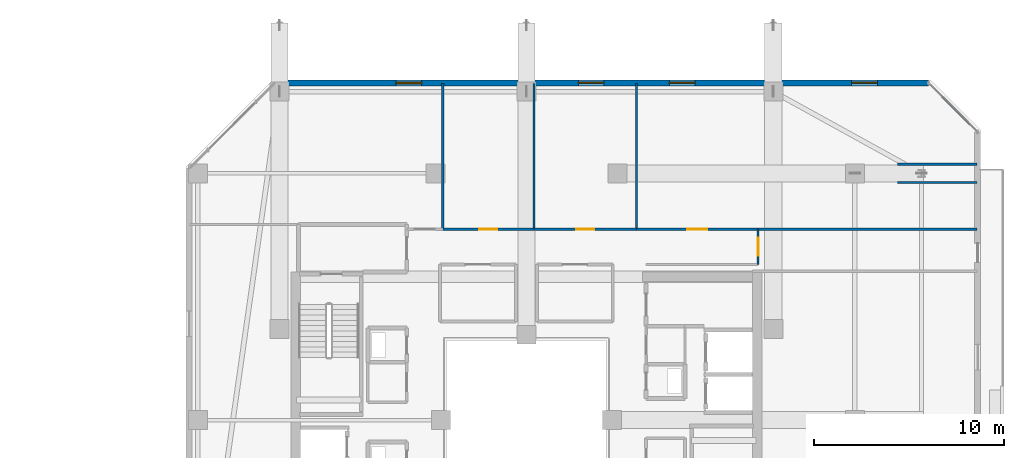
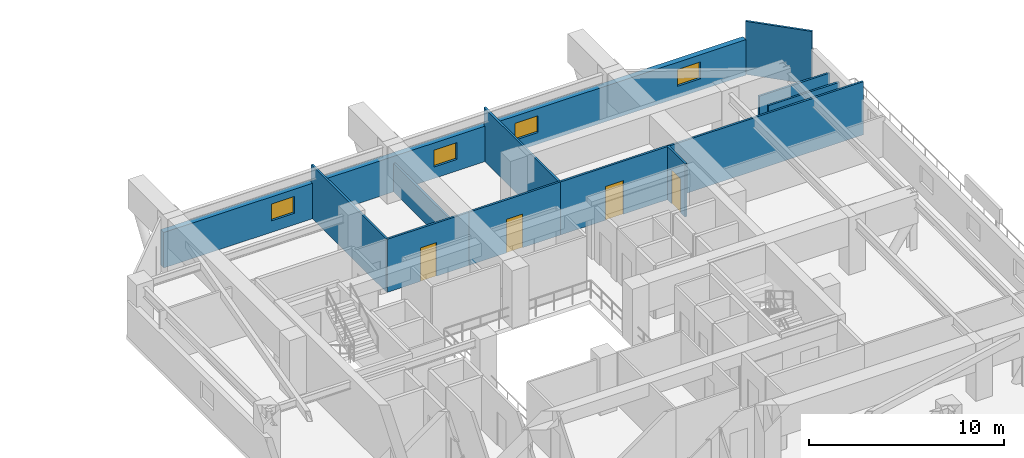
# One storey, part 27 of 34: 12 walls, 4 doors, 4 windows, 8 openings.
"""IFC4 building model written with IfcOpenShell, lengths in metres."""

from ifc_helpers import new_model, si_unit, direction, frame, frame_2d, origin, place, context, subcontext, project, spatial, rectangle, extrude, material, layer, layer_set, type_object, element, fill, save


model = new_model("IFC4")

# Units and contexts
model_context = context("Model", 3, precision=1e-05, world=origin(), true_north=direction((0.0, 1.0)))
body_context = subcontext(model_context, "Body", "Model", "MODEL_VIEW")
ifc_project = project(units=[si_unit("LENGTHUNIT", "METRE"), si_unit("AREAUNIT", "SQUARE_METRE"), si_unit("VOLUMEUNIT", "CUBIC_METRE"), si_unit("PLANEANGLEUNIT", "RADIAN"), si_unit("MASSUNIT", "GRAM", prefix="KILO")], contexts=[model_context])

# Site, building, storey
site_placement = place(None, origin())
site = spatial("IfcSite", under=ifc_project, at=site_placement, CompositionType="ELEMENT")
building_placement = place(site_placement, origin())
building = spatial("IfcBuilding", under=site, at=building_placement, Name="Thornwick Lancets Civic Towers", CompositionType="ELEMENT")
storey_placement = place(building_placement, frame((0.0, 0.0, 251.10009765625)))
storey = spatial("IfcBuildingStorey", under=building, at=storey_placement, Name="L67", CompositionType="ELEMENT", Elevation=251.10009765625)

# Wall, openings, windows
ifc_material_1 = material(Name="Insulated buff terracotta rainscreen on concrete C40/50", Category="masonry")
ifc_layer_1 = layer(ifc_material_1, 0.320068359375, Name="Insulated buff terracotta rainscreen on concrete C40/50")
ifc_layer_set_1 = layer_set([ifc_layer_1], Name="Insulated buff terracotta rainscreen on concrete C40/50")
wall_type_1 = type_object("IfcWallType", Name="WALL_EXT_TERRA_320", PredefinedType="STANDARD", material=ifc_layer_set_1)
wall_1_placement = place(storey_placement, frame((109.681396484375, 44.7646484375, 0.0), z_axis=(0.0, 0.0, 1.0), x_axis=(-0.999999983007, -0.000184351399, 0.0)))
wall_1 = element("IfcWall", 1, at=wall_1_placement, inside=storey, type_object=wall_type_1, Name="L67 Tower B Terracotta Facade Wall E4", PredefinedType="STANDARD", context=body_context, shape_type="SweptSolid", body=[
    extrude(rectangle(XDim=34.432373046875, YDim=0.320068359375, at=frame_2d((17.21630859375, 0.0))), origin(), (0.0, 0.0, 1.0), 2.219970703125),
])
opening_1_placement = place(wall_1_placement, frame((2.699951171875, 0.0, 0.719970703125)))
opening_1 = element("IfcOpeningElement", 2, at=opening_1_placement, cuts=wall_1, Name="Opening WL-03", PredefinedType="OPENING", context=body_context, shape_type="SweptSolid", body=[
    extrude(rectangle(XDim=1.35009765625, YDim=1.050048828125, at=frame_2d((0.675048828125, 0.52490234375))), frame((0.0, 0.169921875, 0.0), z_axis=(0.0, -1.0, 0.0), x_axis=(1.0, 0.0, 0.0)), (0.0, 0.0, 1.0), 0.340087890625),
])
opening_2_placement = place(wall_1_placement, frame((12.300048828125, 0.0, 0.719970703125)))
opening_2 = element("IfcOpeningElement", 3, at=opening_2_placement, cuts=wall_1, Name="Opening WL-03", PredefinedType="OPENING", context=body_context, shape_type="SweptSolid", body=[
    extrude(rectangle(XDim=1.35009765625, YDim=1.050048828125, at=frame_2d((0.675048828125, 0.52490234375))), frame((0.0, 0.169921875, 0.0), z_axis=(0.0, -1.0, 0.0), x_axis=(1.0, 0.0, 0.0)), (0.0, 0.0, 1.0), 0.340087890625),
])
opening_3_placement = place(wall_1_placement, frame((17.10009765625, 0.0, 0.719970703125)))
opening_3 = element("IfcOpeningElement", 4, at=opening_3_placement, cuts=wall_1, Name="Opening WL-03", PredefinedType="OPENING", context=body_context, shape_type="SweptSolid", body=[
    extrude(rectangle(XDim=1.35009765625, YDim=1.050048828125, at=frame_2d((0.675048828125, 0.52490234375))), frame((0.0, 0.169921875, 0.0), z_axis=(0.0, -1.0, 0.0), x_axis=(1.0, 0.0, 0.0)), (0.0, 0.0, 1.0), 0.340087890625),
])
opening_4_placement = place(wall_1_placement, frame((26.699951171875, 0.0, 0.719970703125)))
opening_4 = element("IfcOpeningElement", 5, at=opening_4_placement, cuts=wall_1, Name="Opening WL-03", PredefinedType="OPENING", context=body_context, shape_type="SweptSolid", body=[
    extrude(rectangle(XDim=1.35009765625, YDim=1.050048828125, at=frame_2d((0.675048828125, 0.52490234375))), frame((0.0, 0.169921875, 0.0), z_axis=(0.0, -1.0, 0.0), x_axis=(1.0, 0.0, 0.0)), (0.0, 0.0, 1.0), 0.340087890625),
])
ifc_material_2 = material(Name="Clear low-e double glazing clerestory lancet", Category="glass")
window_type = type_object("IfcWindowType", Name="WIN_LANCET_1350", PartitioningType="SINGLE_PANEL", PredefinedType="WINDOW", material=ifc_material_2)
window_1_placement = place(opening_1_placement, origin())
window_1 = element("IfcWindow", 6, at=window_1_placement, inside=storey, type_object=window_type, Name="L67 Tower B Staggered Lancet Window E4-1", OverallHeight=1.050048828125, OverallWidth=1.35009765625, PartitioningType="SINGLE_PANEL", PredefinedType="WINDOW", context=body_context, shape_type="SweptSolid", body=[
    extrude(rectangle(XDim=1.35009765625, YDim=1.050048828125, at=frame_2d((0.675048828125, 0.52490234375))), frame((0.0, 0.030029296875, 0.0), z_axis=(0.0, -1.0, 0.0), x_axis=(1.0, 0.0, 0.0)), (0.0, 0.0, 1.0), 0.06005859375),
])
fill(opening_1, window_1)
window_2_placement = place(opening_2_placement, origin())
window_2 = element("IfcWindow", 7, at=window_2_placement, inside=storey, type_object=window_type, Name="L67 Tower B Staggered Lancet Window E4-2", OverallHeight=1.050048828125, OverallWidth=1.35009765625, PartitioningType="SINGLE_PANEL", PredefinedType="WINDOW", context=body_context, shape_type="SweptSolid", body=[
    extrude(rectangle(XDim=1.35009765625, YDim=1.050048828125, at=frame_2d((0.675048828125, 0.52490234375))), frame((0.0, 0.030029296875, 0.0), z_axis=(0.0, -1.0, 0.0), x_axis=(1.0, 0.0, 0.0)), (0.0, 0.0, 1.0), 0.06005859375),
])
fill(opening_2, window_2)
window_3_placement = place(opening_3_placement, origin())
window_3 = element("IfcWindow", 8, at=window_3_placement, inside=storey, type_object=window_type, Name="L67 Tower B Staggered Lancet Window E4-3", OverallHeight=1.050048828125, OverallWidth=1.35009765625, PartitioningType="SINGLE_PANEL", PredefinedType="WINDOW", context=body_context, shape_type="SweptSolid", body=[
    extrude(rectangle(XDim=1.35009765625, YDim=1.050048828125, at=frame_2d((0.675048828125, 0.52490234375))), frame((0.0, 0.030029296875, 0.0), z_axis=(0.0, -1.0, 0.0), x_axis=(1.0, 0.0, 0.0)), (0.0, 0.0, 1.0), 0.06005859375),
])
fill(opening_3, window_3)
window_4_placement = place(opening_4_placement, origin())
window_4 = element("IfcWindow", 9, at=window_4_placement, inside=storey, type_object=window_type, Name="L67 Tower B Staggered Lancet Window E4-4", OverallHeight=1.050048828125, OverallWidth=1.35009765625, PartitioningType="SINGLE_PANEL", PredefinedType="WINDOW", context=body_context, shape_type="SweptSolid", body=[
    extrude(rectangle(XDim=1.35009765625, YDim=1.050048828125, at=frame_2d((0.675048828125, 0.52490234375))), frame((0.0, 0.030029296875, 0.0), z_axis=(0.0, -1.0, 0.0), x_axis=(1.0, 0.0, 0.0)), (0.0, 0.0, 1.0), 0.06005859375),
])
fill(opening_4, window_4)

# Wall, opening, door
ifc_material_3 = material(Name="Acoustic gypsum board partition")
ifc_layer_2 = layer(ifc_material_3, 0.1201171875, Name="Acoustic gypsum board partition")
ifc_layer_set_2 = layer_set([ifc_layer_2], Name="Acoustic gypsum board partition")
wall_type_2 = type_object("IfcWallType", Name="WALL_PART_120", PredefinedType="PARTITIONING", material=ifc_layer_set_2)
wall_2_placement = place(storey_placement, frame((100.699951171875, 35.199951171875, 0.0), z_axis=(0.0, 0.0, 1.0), x_axis=(0.0, 1.0, 0.0)))
wall_2 = element("IfcWall", 10, at=wall_2_placement, inside=storey, type_object=wall_type_2, Name="L67 Partition L67-B-RECLAIM-L E3", PredefinedType="PARTITIONING", context=body_context, shape_type="SweptSolid", body=[
    extrude(rectangle(XDim=1.85009765625, YDim=0.1201171875, at=frame_2d((0.925048828125, 0.0))), origin(), (0.0, 0.0, 1.0), 3.31982421875),
])
opening_5_placement = place(wall_2_placement, frame((0.449951171875, 0.0, 0.0)))
opening_5 = element("IfcOpeningElement", 11, at=opening_5_placement, cuts=wall_2, Name="Opening D-L67-3072", PredefinedType="OPENING", context=body_context, shape_type="SweptSolid", body=[
    extrude(rectangle(XDim=0.949951171875, YDim=2.10009765625, at=frame_2d((0.47509765625, 1.050048828125))), frame((0.0, 0.070068359375, 0.0), z_axis=(0.0, -1.0, 0.0), x_axis=(1.0, 0.0, 0.0)), (0.0, 0.0, 1.0), 0.14013671875),
])
ifc_material_4 = material(Name="European oak acoustic doorset")
door_type_1 = type_object("IfcDoorType", Name="DOOR_OFFICE_950", OperationType="NOTDEFINED", PredefinedType="DOOR", material=ifc_material_4)
door_1_placement = place(opening_5_placement, origin())
door_1 = element("IfcDoor", 12, at=door_1_placement, inside=storey, type_object=door_type_1, Name="L67 Tower B Parliamentary Drafting Library Door", OperationType="SINGLE_SWING_LEFT", OverallHeight=2.10009765625, OverallWidth=0.949951171875, PredefinedType="DOOR", context=body_context, shape_type="SweptSolid", body=[
    extrude(rectangle(XDim=0.949951171875, YDim=2.10009765625, at=frame_2d((0.47509765625, 1.050048828125))), frame((0.0, 0.02490234375, 0.0), z_axis=(0.0, -1.0, 0.0), x_axis=(1.0, 0.0, 0.0)), (0.0, 0.0, 1.0), 0.050048828125),
])
fill(opening_5, door_1)

# Wall
wall_3_placement = place(storey_placement, frame((100.699951171875, 37.050048828125, 0.0), z_axis=(0.0, 0.0, 1.0), x_axis=(1.0, 0.0, 0.0)))
element("IfcWall", 13, at=wall_3_placement, inside=storey, type_object=wall_type_2, Name="L67 Partition L67-B-RECLAIM-L E4", PredefinedType="PARTITIONING", context=body_context, shape_type="SweptSolid", body=[
    extrude(rectangle(XDim=11.52001953125, YDim=0.1201171875, at=frame_2d((5.760009765625, 0.0))), origin(), (0.0, 0.0, 1.0), 3.31982421875),
])

# Wall, opening, door
wall_4_placement = place(storey_placement, frame((100.699951171875, 37.050048828125, 0.0), z_axis=(0.0, 0.0, 1.0), x_axis=(-1.0, 0.0, 0.0)))
wall_4 = element("IfcWall", 14, at=wall_4_placement, inside=storey, type_object=wall_type_2, Name="L67 Partition L67-B-E1 E1", PredefinedType="PARTITIONING", context=body_context, shape_type="SweptSolid", body=[
    extrude(rectangle(XDim=6.39990234375, YDim=0.1201171875, at=frame_2d((3.199951171875, 0.0))), origin(), (0.0, 0.0, 1.0), 3.31982421875),
])
opening_6_placement = place(wall_4_placement, frame((2.675048828125, 0.0, 0.0)))
opening_6 = element("IfcOpeningElement", 15, at=opening_6_placement, cuts=wall_4, Name="Opening D-L67-3081", PredefinedType="OPENING", context=body_context, shape_type="SweptSolid", body=[
    extrude(rectangle(XDim=1.050048828125, YDim=2.10009765625, at=frame_2d((0.52490234375, 1.050048828125))), frame((0.0, 0.070068359375, 0.0), z_axis=(0.0, -1.0, 0.0), x_axis=(1.0, 0.0, 0.0)), (0.0, 0.0, 1.0), 0.14013671875),
])
ifc_material_5 = material(Name="Glazed European oak executive doorset")
door_type_2 = type_object("IfcDoorType", Name="DOOR_OFFICE_1050", OperationType="NOTDEFINED", PredefinedType="DOOR", material=ifc_material_5)
door_2_placement = place(opening_6_placement, origin())
door_2 = element("IfcDoor", 16, at=door_2_placement, inside=storey, type_object=door_type_2, Name="L67 Tower B Secretariat Open Office E1 Door", OperationType="SINGLE_SWING_RIGHT", OverallHeight=2.10009765625, OverallWidth=1.050048828125, PredefinedType="DOOR", context=body_context, shape_type="SweptSolid", body=[
    extrude(rectangle(XDim=1.050048828125, YDim=2.10009765625, at=frame_2d((0.52490234375, 1.050048828125))), frame((0.0, 0.02490234375, 0.0), z_axis=(0.0, -1.0, 0.0), x_axis=(1.0, 0.0, 0.0)), (0.0, 0.0, 1.0), 0.050048828125),
])
fill(opening_6, door_2)

# Walls
wall_5_placement = place(storey_placement, frame((94.300048828125, 37.050048828125, 0.0), z_axis=(0.0, 0.0, 1.0), x_axis=(0.0, 1.0, 0.0)))
element("IfcWall", 17, at=wall_5_placement, inside=storey, type_object=wall_type_2, Name="L67 Partition L67-B-E1 E2", PredefinedType="PARTITIONING", context=body_context, shape_type="SweptSolid", body=[
    extrude(rectangle(XDim=7.669921875, YDim=0.1201171875, at=frame_2d((3.8349609375, 0.0))), origin(), (0.0, 0.0, 1.0), 3.31982421875),
])
wall_6_placement = place(storey_placement, frame((109.725341796875, 44.719970703125, 0.0), z_axis=(0.0, 0.0, 1.0), x_axis=(0.707106781187, -0.707106781187, 0.0)))
element("IfcWall", 18, at=wall_6_placement, inside=storey, type_object=wall_type_2, Name="L67 Partition L67-B-E1 E4", PredefinedType="PARTITIONING", context=body_context, shape_type="SweptSolid", body=[
    extrude(rectangle(XDim=3.52783203125, YDim=0.1201171875, at=frame_2d((1.763916015625, 0.0))), origin(), (0.0, 0.0, 1.0), 3.31982421875),
])
for number, where, z_axis, x_axis, name in (
    (19, (112.219970703125, 40.47998046875, 0.0), (0.0, 0.0, 1.0), (-1.0, 0.0, 0.0), "L67 Partition L67-B-E1 E6"),
    (20, (108.0419921875, 39.52001953125, 0.0), (0.0, 0.0, 1.0), (1.0, 0.0, 0.0), "L67 Partition L67-B-E1 E8"),
):
    element("IfcWall", number, at=place(storey_placement, frame(where, z_axis=z_axis, x_axis=x_axis)), inside=storey, type_object=wall_type_2, Name=name, PredefinedType="PARTITIONING", context=body_context, shape_type="SweptSolid", body=[
        extrude(rectangle(XDim=4.177978515625, YDim=0.1201171875, at=frame_2d((2.0888671875, 0.0))), origin(), (0.0, 0.0, 1.0), 1.784912109375),
    ])
wall_7_placement = place(storey_placement, frame((88.89990234375, 37.050048828125, 0.0), z_axis=(0.0, 0.0, 1.0), x_axis=(0.0, 1.0, 0.0)))
element("IfcWall", 21, at=wall_7_placement, inside=storey, type_object=wall_type_2, Name="L67 Partition L67-B-E2 E1", PredefinedType="PARTITIONING", context=body_context, shape_type="SweptSolid", body=[
    extrude(rectangle(XDim=7.669921875, YDim=0.1201171875, at=frame_2d((3.8349609375, 0.0))), origin(), (0.0, 0.0, 1.0), 1.784912109375),
])

# Wall, opening, door
wall_8_placement = place(storey_placement, frame((94.300048828125, 37.050048828125, 0.0), z_axis=(0.0, 0.0, 1.0), x_axis=(-1.0, 0.0, 0.0)))
wall_8 = element("IfcWall", 22, at=wall_8_placement, inside=storey, type_object=wall_type_2, Name="L67 Partition L67-B-E2 E4", PredefinedType="PARTITIONING", context=body_context, shape_type="SweptSolid", body=[
    extrude(rectangle(XDim=5.400146484375, YDim=0.1201171875, at=frame_2d((2.7001953125, 0.0))), origin(), (0.0, 0.0, 1.0), 3.31982421875),
])
opening_7_placement = place(wall_8_placement, frame((2.22509765625, 0.0, 0.0)))
opening_7 = element("IfcOpeningElement", 23, at=opening_7_placement, cuts=wall_8, Name="Opening D-L67-3082", PredefinedType="OPENING", context=body_context, shape_type="SweptSolid", body=[
    extrude(rectangle(XDim=0.949951171875, YDim=2.10009765625, at=frame_2d((0.47509765625, 1.050048828125))), frame((0.0, 0.070068359375, 0.0), z_axis=(0.0, -1.0, 0.0), x_axis=(1.0, 0.0, 0.0)), (0.0, 0.0, 1.0), 0.14013671875),
])
door_3_placement = place(opening_7_placement, origin())
door_3 = element("IfcDoor", 24, at=door_3_placement, inside=storey, type_object=door_type_1, Name="L67 Tower B Visitors Reception and Waiting Door", OperationType="SINGLE_SWING_LEFT", OverallHeight=2.10009765625, OverallWidth=0.949951171875, PredefinedType="DOOR", context=body_context, shape_type="SweptSolid", body=[
    extrude(rectangle(XDim=0.949951171875, YDim=2.10009765625, at=frame_2d((0.47509765625, 1.050048828125))), frame((0.0, 0.02490234375, 0.0), z_axis=(0.0, -1.0, 0.0), x_axis=(1.0, 0.0, 0.0)), (0.0, 0.0, 1.0), 0.050048828125),
])
fill(opening_7, door_3)

# Wall
wall_9_placement = place(storey_placement, frame((84.10009765625, 37.050048828125, 0.0), z_axis=(0.0, 0.0, 1.0), x_axis=(0.0, 1.0, 0.0)))
element("IfcWall", 25, at=wall_9_placement, inside=storey, type_object=wall_type_2, Name="L67 Partition L67-B-E3 E1", PredefinedType="PARTITIONING", context=body_context, shape_type="SweptSolid", body=[
    extrude(rectangle(XDim=7.669921875, YDim=0.1201171875, at=frame_2d((3.8349609375, 0.0))), origin(), (0.0, 0.0, 1.0), 3.31982421875),
])

# Wall, opening, door
wall_10_placement = place(storey_placement, frame((88.89990234375, 37.050048828125, 0.0), z_axis=(0.0, 0.0, 1.0), x_axis=(-1.0, 0.0, 0.0)))
wall_10 = element("IfcWall", 26, at=wall_10_placement, inside=storey, type_object=wall_type_2, Name="L67 Partition L67-B-E3 E4", PredefinedType="PARTITIONING", context=body_context, shape_type="SweptSolid", body=[
    extrude(rectangle(XDim=4.7998046875, YDim=0.1201171875, at=frame_2d((2.39990234375, 0.0))), origin(), (0.0, 0.0, 1.0), 3.31982421875),
])
opening_8_placement = place(wall_10_placement, frame((1.925048828125, 0.0, 0.0)))
opening_8 = element("IfcOpeningElement", 27, at=opening_8_placement, cuts=wall_10, Name="Opening D-L67-3083", PredefinedType="OPENING", context=body_context, shape_type="SweptSolid", body=[
    extrude(rectangle(XDim=0.949951171875, YDim=2.10009765625, at=frame_2d((0.47509765625, 1.050048828125))), frame((0.0, 0.070068359375, 0.0), z_axis=(0.0, -1.0, 0.0), x_axis=(1.0, 0.0, 0.0)), (0.0, 0.0, 1.0), 0.14013671875),
])
door_4_placement = place(opening_8_placement, origin())
door_4 = element("IfcDoor", 28, at=door_4_placement, inside=storey, type_object=door_type_1, Name="L67 Tower B Civic Seminar Room Door", OperationType="SINGLE_SWING_RIGHT", OverallHeight=2.10009765625, OverallWidth=0.949951171875, PredefinedType="DOOR", context=body_context, shape_type="SweptSolid", body=[
    extrude(rectangle(XDim=0.949951171875, YDim=2.10009765625, at=frame_2d((0.47509765625, 1.050048828125))), frame((0.0, 0.02490234375, 0.0), z_axis=(0.0, -1.0, 0.0), x_axis=(1.0, 0.0, 0.0)), (0.0, 0.0, 1.0), 0.050048828125),
])
fill(opening_8, door_4)

save(model, "model.ifc")
